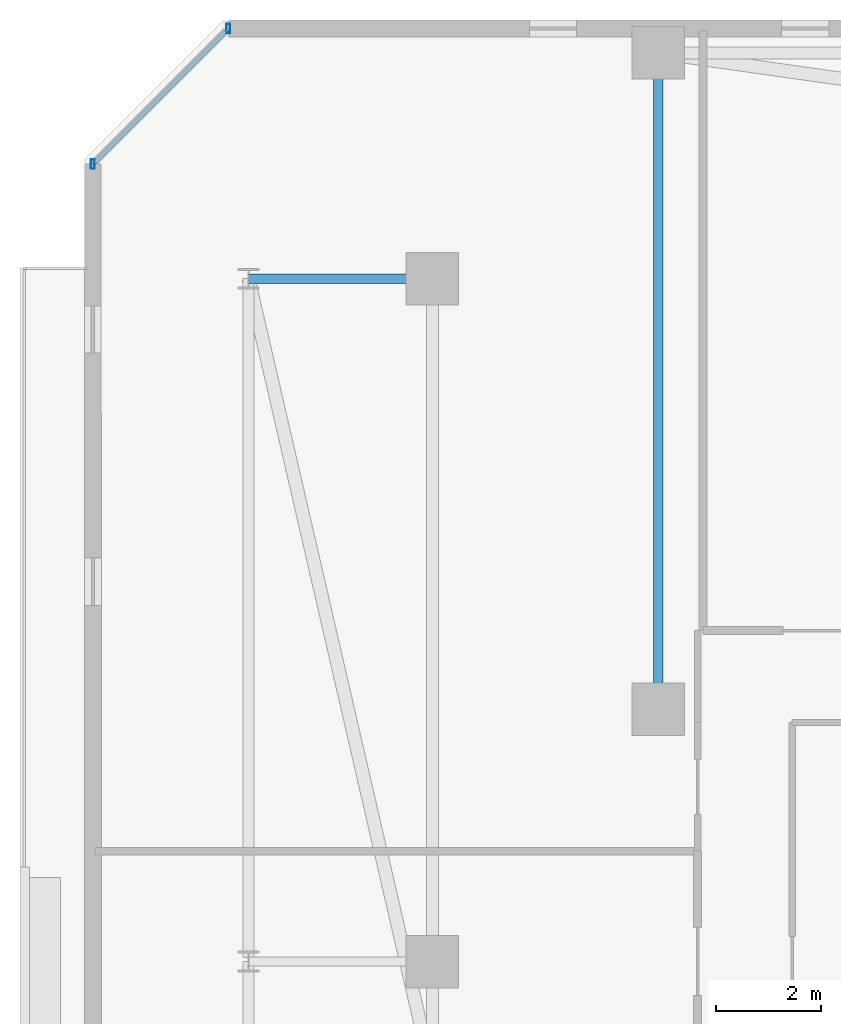
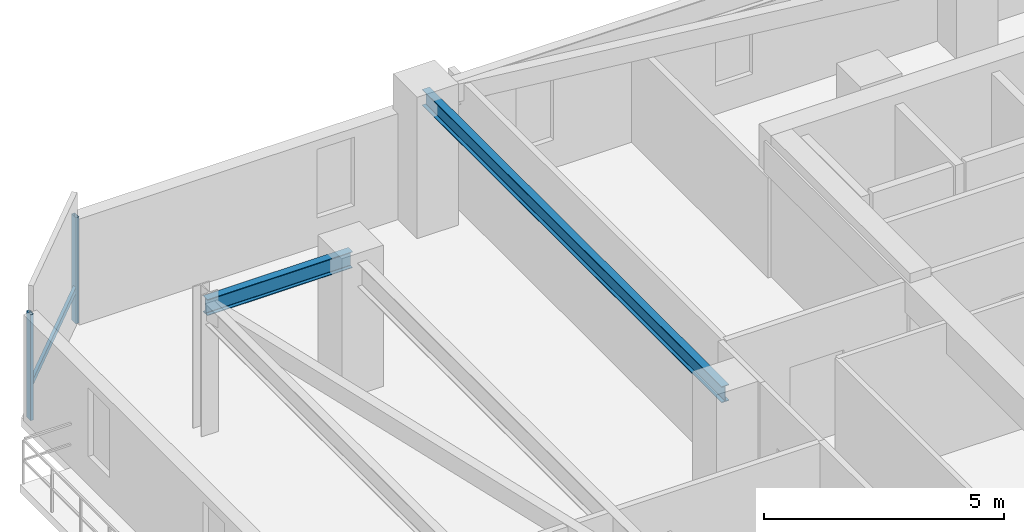
# One storey, part 7 of 31: 3 members, 2 beams, 1 element without a shape of its own.
"""IFC4 building model written with IfcOpenShell, lengths in metres."""

from ifc_helpers import new_model, si_unit, direction, frame, origin, origin_2d, place, context, subcontext, project, spatial, hollow_rectangle, i_section, extrude, material, material_profile, profile_set, type_object, element, aggregate, save


model = new_model("IFC4")

# Units and contexts
model_context = context("Model", 3, precision=1e-05, world=origin(), true_north=direction((0.0, 1.0)))
body_context = subcontext(model_context, "Body", "Model", "MODEL_VIEW")
ifc_project = project(units=[si_unit("LENGTHUNIT", "METRE"), si_unit("AREAUNIT", "SQUARE_METRE"), si_unit("VOLUMEUNIT", "CUBIC_METRE"), si_unit("PLANEANGLEUNIT", "RADIAN"), si_unit("MASSUNIT", "GRAM", prefix="KILO")], contexts=[model_context])

# Site, building, storey
site_placement = place(None, origin())
site = spatial("IfcSite", under=ifc_project, at=site_placement, CompositionType="ELEMENT")
building_placement = place(site_placement, origin())
building = spatial("IfcBuilding", under=site, at=building_placement, Name="Thornwick Lancets Civic Towers", CompositionType="ELEMENT")
storey_placement = place(building_placement, frame((0.0, 0.0, 236.699951171875)))
storey = spatial("IfcBuildingStorey", under=building, at=storey_placement, Name="L63", CompositionType="ELEMENT", Elevation=236.699951171875)

# Beams
ifc_material_1 = material(Name="Steel S355JR", Category="steel")
ifc_material_profile_1 = material_profile(ifc_material_1, i_section(OverallWidth=0.179443359375, OverallDepth=0.412841796875, WebThickness=0.009521484375, FlangeThickness=0.01611328125, FilletRadius=0.01025390625, at=origin_2d()), Name="UKB 406x178x74")
ifc_profile_set_1 = profile_set([ifc_material_profile_1], Name="Steel S355JR")
beam_type = type_object("IfcBeamType", Name="BM_JOIST_406_74", PredefinedType="JOIST", material=ifc_profile_set_1)
beam_1_placement = place(storey_placement, frame((12.5, 31.800048828125, 3.153564453125), z_axis=(0.0, 1.0, 0.0), x_axis=(-1.0, 0.0, 0.0)))
element("IfcBeam", 1, at=beam_1_placement, inside=storey, type_object=beam_type, Name="BM-RADIN-L63-A07", PredefinedType="JOIST", context=body_context, shape_type="SweptSolid", body=[
    extrude(i_section(OverallWidth=0.179443359375, OverallDepth=0.412841796875, WebThickness=0.009521484375, FlangeThickness=0.01611328125, FilletRadius=0.01025390625, at=origin_2d()), origin(), (0.0, 0.0, 1.0), 12.5),
])
beam_2_placement = place(storey_placement, frame((8.199951171875, 40.0, 3.153564453125), z_axis=(-1.0, 0.0, 0.0), x_axis=(0.0, -1.0, 0.0)))
element("IfcBeam", 2, at=beam_2_placement, inside=storey, type_object=beam_type, Name="BM-RAD-L63-A12", PredefinedType="JOIST", context=body_context, shape_type="SweptSolid", body=[
    extrude(i_section(OverallWidth=0.179443359375, OverallDepth=0.412841796875, WebThickness=0.009521484375, FlangeThickness=0.01611328125, FilletRadius=0.01025390625, at=origin_2d()), origin(), (0.0, 0.0, 1.0), 3.5),
])

# Curtain wall, members
ifc_material_2 = material(Name="High-zone chamfered-corner unitised glass curtain wall", Category="glass")
curtain_wall_type = type_object("IfcCurtainWallType", Name="CW_SYS_05", PredefinedType="NOTDEFINED", material=ifc_material_2)
curtain_wall_placement = place(storey_placement, origin())
curtain_wall = element("IfcCurtainWall", 3, at=curtain_wall_placement, inside=storey, type_object=curtain_wall_type, Name="L63 Curtain Wall CW-L63-A-E5", PredefinedType="NOTDEFINED")
ifc_material_3 = material(Name="Thermally broken bronze aluminium S355", Category="steel")
ifc_material_profile_2 = material_profile(ifc_material_3, hollow_rectangle(XDim=0.074951171875, YDim=0.179931640625, WallThickness=0.006103515625, at=origin_2d()), Name="RHS 180x75x6")
ifc_profile_set_2 = profile_set([ifc_material_profile_2], Name="Thermally broken bronze aluminium S355")
member_type_1 = type_object("IfcMemberType", Name="CW_MUL_180", PredefinedType="MULLION", material=ifc_profile_set_2)
member_1_placement = place(storey_placement, frame((4.318603515625, 44.7646484375, 0.0), z_axis=(0.0, 0.0, 1.0), x_axis=(1.0, 0.0, 0.0)))
member_1 = element("IfcMember", 4, at=member_1_placement, type_object=member_type_1, Name="CW-L63-A-E5 Mullion 0", PredefinedType="MULLION", context=body_context, shape_type="SweptSolid", body=[
    extrude(hollow_rectangle(XDim=0.074951171875, YDim=0.179931640625, WallThickness=0.006103515625, at=origin_2d()), origin(), (0.0, 0.0, 1.0), 2.699951171875),
])
member_2_placement = place(storey_placement, frame((1.7353515625, 42.181396484375, 0.0), z_axis=(0.0, 0.0, 1.0), x_axis=(1.0, 0.0, 0.0)))
member_2 = element("IfcMember", 5, at=member_2_placement, type_object=member_type_1, Name="CW-L63-A-E5 Mullion 1", PredefinedType="MULLION", context=body_context, shape_type="SweptSolid", body=[
    extrude(hollow_rectangle(XDim=0.074951171875, YDim=0.179931640625, WallThickness=0.006103515625, at=origin_2d()), origin(), (0.0, 0.0, 1.0), 2.699951171875),
])
ifc_material_profile_3 = material_profile(ifc_material_3, hollow_rectangle(XDim=0.074951171875, YDim=0.14990234375, WallThickness=0.0048828125, at=origin_2d()), Name="RHS 150x75x5")
ifc_profile_set_3 = profile_set([ifc_material_profile_3], Name="Thermally broken bronze aluminium S355")
member_type_2 = type_object("IfcMemberType", Name="CW_TRN_150", PredefinedType="USERDEFINED", material=ifc_profile_set_3)
member_3_placement = place(storey_placement, frame((4.304443359375, 44.75048828125, 0.85009765625), z_axis=(-0.707106781187, -0.707106781187, 0.0), x_axis=(0.707106781187, -0.707106781187, 0.0)))
member_3 = element("IfcMember", 6, at=member_3_placement, type_object=member_type_2, Name="CW-L63-A-E5 Transom 0", ObjectType="TRANSOM", PredefinedType="USERDEFINED", context=body_context, shape_type="SweptSolid", body=[
    extrude(hollow_rectangle(XDim=0.074951171875, YDim=0.14990234375, WallThickness=0.0048828125, at=origin_2d()), origin(), (0.0, 0.0, 1.0), 3.61328125),
])
aggregate(curtain_wall, [member_1, member_2, member_3])

save(model, "model.ifc")
